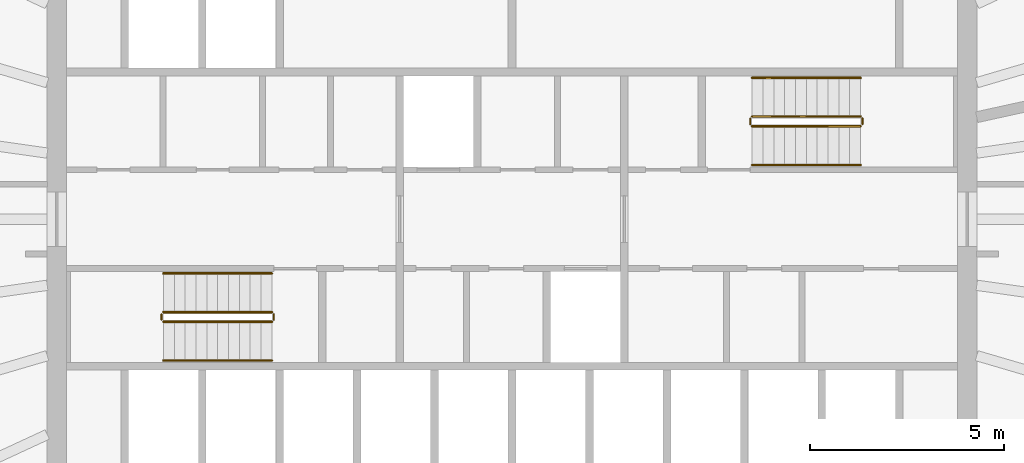
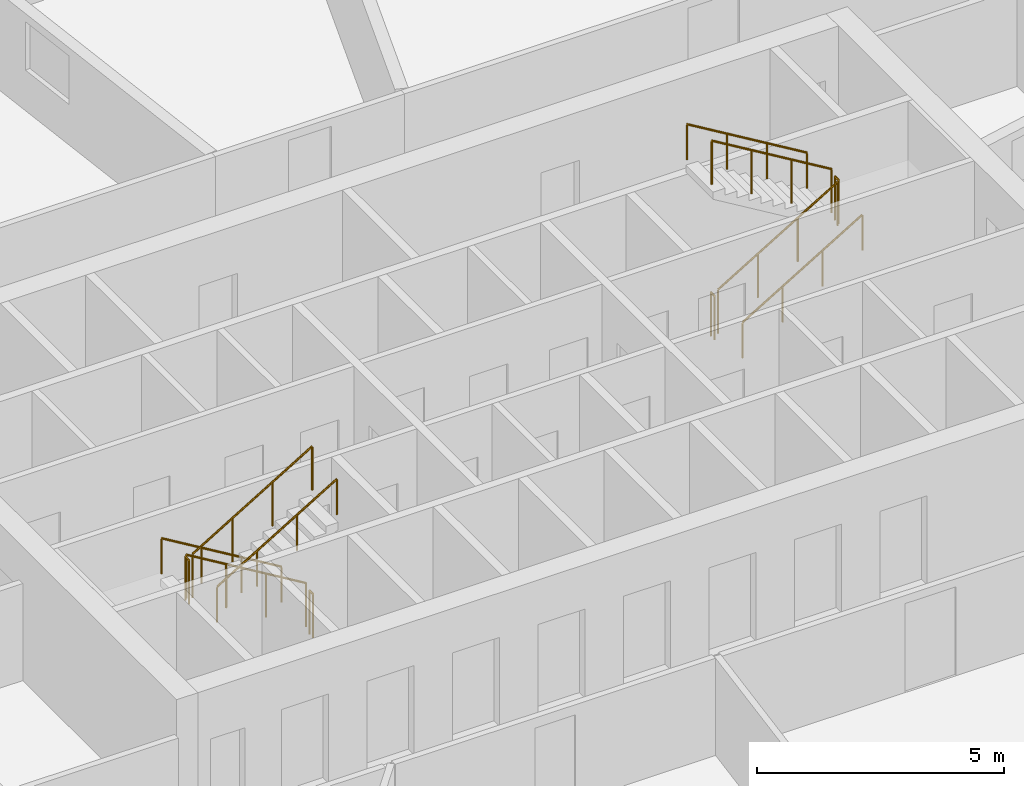
# One storey, part 12 of 12: 12 railings.
"""IFC4 building model written with IfcOpenShell, lengths in metres."""

from ifc_helpers import new_model, si_unit, direction, frame, origin, origin_2d, place, context, subcontext, project, spatial, circle, extrude, material, type_object, element, save


model = new_model("IFC4")

# Units and contexts
model_context = context("Model", 3, precision=1e-05, world=origin(), true_north=direction((0.0, 1.0)))
body_context = subcontext(model_context, "Body", "Model", "MODEL_VIEW")
ifc_project = project(units=[si_unit("LENGTHUNIT", "METRE"), si_unit("AREAUNIT", "SQUARE_METRE"), si_unit("VOLUMEUNIT", "CUBIC_METRE"), si_unit("PLANEANGLEUNIT", "RADIAN"), si_unit("MASSUNIT", "GRAM", prefix="KILO")], contexts=[model_context])

# Site, building, storey
site_placement = place(None, origin())
site = spatial("IfcSite", under=ifc_project, at=site_placement, CompositionType="ELEMENT")
building_placement = place(site_placement, origin())
building = spatial("IfcBuilding", under=site, at=building_placement, Name="Siaravel Broadcast Tower", CompositionType="ELEMENT")
storey_placement = place(building_placement, frame((0.0, 0.0, 100.800048828125)))
storey = spatial("IfcBuildingStorey", under=building, at=storey_placement, Name="L23", CompositionType="ELEMENT", Elevation=100.800048828125)

# Railings
ifc_material = material(Name="Stainless steel 316L", Category="steel")
railing_type_1 = type_object("IfcRailingType", Name="Stair guard 1100", PredefinedType="GUARDRAIL", material=ifc_material)
railing_1_placement = place(storey_placement, frame((-6.199951171875, -2.39990234375, 0.168212890625)))
element("IfcRailing", 1, at=railing_1_placement, inside=storey, type_object=railing_type_1, Name="L23 ST-1 stair guard 1", PredefinedType="GUARDRAIL", context=body_context, shape_type="SweptSolid", body=[
    extrude(circle(Radius=0.02392578125, at=origin_2d()), frame((0.0, 0.0, 1.076171875), z_axis=(-0.857275203, 0.0, 0.514858453), x_axis=(0.0, -1.0, 0.0)), (0.0, 0.0, 1.0), 3.26611328125),
    extrude(circle(Radius=0.02099609375, at=origin_2d()), origin(), (0.0, 0.0, 1.0), 1.052001953125),
    extrude(circle(Radius=0.02099609375, at=origin_2d()), frame((-0.933349609375, 0.0, 0.560546875)), (0.0, 0.0, 1.0), 1.052001953125),
    extrude(circle(Radius=0.02099609375, at=origin_2d()), frame((-1.86669921875, 0.0, 1.12109375)), (0.0, 0.0, 1.0), 1.052001953125),
    extrude(circle(Radius=0.02099609375, at=origin_2d()), frame((-2.800048828125, 0.0, 1.681640625)), (0.0, 0.0, 1.0), 1.052001953125),
])
railing_2_placement = place(storey_placement, frame((-9.050048828125, -2.449951171875, 1.849853515625)))
element("IfcRailing", 2, at=railing_2_placement, inside=storey, type_object=railing_type_1, Name="L23 ST-1 stair guard 2", PredefinedType="GUARDRAIL", context=body_context, shape_type="SweptSolid", body=[
    extrude(circle(Radius=0.02392578125, at=origin_2d()), frame((0.0, 0.0, 1.076171875), z_axis=(0.0, -1.0, 0.0), x_axis=(1.0, 0.0, 0.0)), (0.0, 0.0, 1.0), 0.150146484375),
    extrude(circle(Radius=0.02099609375, at=origin_2d()), origin(), (0.0, 0.0, 1.0), 1.052001953125),
    extrude(circle(Radius=0.02099609375, at=origin_2d()), frame((0.0, -0.150146484375, 0.0)), (0.0, 0.0, 1.0), 1.052001953125),
])
railing_3_placement = place(storey_placement, frame((-9.0, -2.64990234375, 2.01806640625)))
element("IfcRailing", 3, at=railing_3_placement, inside=storey, type_object=railing_type_1, Name="L23 ST-1 stair guard 3", PredefinedType="GUARDRAIL", context=body_context, shape_type="SweptSolid", body=[
    extrude(circle(Radius=0.02392578125, at=origin_2d()), frame((0.0, 0.0, 1.076171875), z_axis=(0.857242211, 0.0, 0.514913383), x_axis=(0.0, 1.0, 0.0)), (0.0, 0.0, 1.0), 3.266357421875),
    extrude(circle(Radius=0.02099609375, at=origin_2d()), origin(), (0.0, 0.0, 1.0), 1.052001953125),
    extrude(circle(Radius=0.02099609375, at=origin_2d()), frame((0.933349609375, 0.0, 0.560546875)), (0.0, 0.0, 1.0), 1.052001953125),
    extrude(circle(Radius=0.02099609375, at=origin_2d()), frame((1.86669921875, 0.0, 1.121337890625)), (0.0, 0.0, 1.0), 1.052001953125),
    extrude(circle(Radius=0.02099609375, at=origin_2d()), frame((2.800048828125, 0.0, 1.681884765625)), (0.0, 0.0, 1.0), 1.052001953125),
])
railing_4_placement = place(storey_placement, frame((-6.14990234375, -2.449951171875, 0.0)))
element("IfcRailing", 4, at=railing_4_placement, inside=storey, type_object=railing_type_1, Name="L23 ST-1 stair guard 4", PredefinedType="GUARDRAIL", context=body_context, shape_type="SweptSolid", body=[
    extrude(circle(Radius=0.02392578125, at=origin_2d()), frame((0.0, 0.0, 1.076171875), z_axis=(0.0, -1.0, 0.0), x_axis=(1.0, 0.0, 0.0)), (0.0, 0.0, 1.0), 0.150146484375),
    extrude(circle(Radius=0.02099609375, at=origin_2d()), origin(), (0.0, 0.0, 1.0), 1.052001953125),
    extrude(circle(Radius=0.02099609375, at=origin_2d()), frame((0.0, -0.150146484375, 0.0)), (0.0, 0.0, 1.0), 1.052001953125),
])
railing_5_placement = place(storey_placement, frame((6.199951171875, 2.39990234375, 0.168212890625)))
element("IfcRailing", 5, at=railing_5_placement, inside=storey, type_object=railing_type_1, Name="L23 ST-2 stair guard 1", PredefinedType="GUARDRAIL", context=body_context, shape_type="SweptSolid", body=[
    extrude(circle(Radius=0.02392578125, at=origin_2d()), frame((0.0, 0.0, 1.076171875), z_axis=(0.857275203, 0.0, 0.514858453), x_axis=(0.0, 1.0, 0.0)), (0.0, 0.0, 1.0), 3.26611328125),
    extrude(circle(Radius=0.02099609375, at=origin_2d()), origin(), (0.0, 0.0, 1.0), 1.052001953125),
    extrude(circle(Radius=0.02099609375, at=origin_2d()), frame((0.933349609375, 0.0, 0.560546875)), (0.0, 0.0, 1.0), 1.052001953125),
    extrude(circle(Radius=0.02099609375, at=origin_2d()), frame((1.86669921875, 0.0, 1.12109375)), (0.0, 0.0, 1.0), 1.052001953125),
    extrude(circle(Radius=0.02099609375, at=origin_2d()), frame((2.800048828125, 0.0, 1.681640625)), (0.0, 0.0, 1.0), 1.052001953125),
])
railing_6_placement = place(storey_placement, frame((9.050048828125, 2.449951171875, 1.849853515625)))
element("IfcRailing", 6, at=railing_6_placement, inside=storey, type_object=railing_type_1, Name="L23 ST-2 stair guard 2", PredefinedType="GUARDRAIL", context=body_context, shape_type="SweptSolid", body=[
    extrude(circle(Radius=0.02392578125, at=origin_2d()), frame((0.0, 0.0, 1.076171875), z_axis=(0.0, 1.0, 0.0), x_axis=(-1.0, 0.0, 0.0)), (0.0, 0.0, 1.0), 0.150146484375),
    extrude(circle(Radius=0.02099609375, at=origin_2d()), origin(), (0.0, 0.0, 1.0), 1.052001953125),
    extrude(circle(Radius=0.02099609375, at=origin_2d()), frame((0.0, 0.150146484375, 0.0)), (0.0, 0.0, 1.0), 1.052001953125),
])
railing_7_placement = place(storey_placement, frame((9.0, 2.64990234375, 2.01806640625)))
element("IfcRailing", 7, at=railing_7_placement, inside=storey, type_object=railing_type_1, Name="L23 ST-2 stair guard 3", PredefinedType="GUARDRAIL", context=body_context, shape_type="SweptSolid", body=[
    extrude(circle(Radius=0.02392578125, at=origin_2d()), frame((0.0, 0.0, 1.076171875), z_axis=(-0.857242211, 0.0, 0.514913383), x_axis=(0.0, -1.0, 0.0)), (0.0, 0.0, 1.0), 3.266357421875),
    extrude(circle(Radius=0.02099609375, at=origin_2d()), origin(), (0.0, 0.0, 1.0), 1.052001953125),
    extrude(circle(Radius=0.02099609375, at=origin_2d()), frame((-0.933349609375, 0.0, 0.560546875)), (0.0, 0.0, 1.0), 1.052001953125),
    extrude(circle(Radius=0.02099609375, at=origin_2d()), frame((-1.86669921875, 0.0, 1.121337890625)), (0.0, 0.0, 1.0), 1.052001953125),
    extrude(circle(Radius=0.02099609375, at=origin_2d()), frame((-2.800048828125, 0.0, 1.681884765625)), (0.0, 0.0, 1.0), 1.052001953125),
])
railing_8_placement = place(storey_placement, frame((6.14990234375, 2.449951171875, 0.0)))
element("IfcRailing", 8, at=railing_8_placement, inside=storey, type_object=railing_type_1, Name="L23 ST-2 stair guard 4", PredefinedType="GUARDRAIL", context=body_context, shape_type="SweptSolid", body=[
    extrude(circle(Radius=0.02392578125, at=origin_2d()), frame((0.0, 0.0, 1.076171875), z_axis=(0.0, 1.0, 0.0), x_axis=(-1.0, 0.0, 0.0)), (0.0, 0.0, 1.0), 0.150146484375),
    extrude(circle(Radius=0.02099609375, at=origin_2d()), origin(), (0.0, 0.0, 1.0), 1.052001953125),
    extrude(circle(Radius=0.02099609375, at=origin_2d()), frame((0.0, 0.150146484375, 0.0)), (0.0, 0.0, 1.0), 1.052001953125),
])
railing_type_2 = type_object("IfcRailingType", Name="Stair handrail 900", PredefinedType="HANDRAIL", material=ifc_material)
railing_9_placement = place(storey_placement, frame((-6.199951171875, -1.39990234375, 0.168212890625)))
element("IfcRailing", 9, at=railing_9_placement, inside=storey, type_object=railing_type_2, Name="L23 ST-1 stair handrail 1", PredefinedType="HANDRAIL", context=body_context, shape_type="SweptSolid", body=[
    extrude(circle(Radius=0.02392578125, at=origin_2d()), frame((0.0, 0.0, 0.8759765625), z_axis=(-0.857275203, 0.0, 0.514858453), x_axis=(0.0, -1.0, 0.0)), (0.0, 0.0, 1.0), 3.26611328125),
    extrude(circle(Radius=0.02099609375, at=origin_2d()), origin(), (0.0, 0.0, 1.0), 0.851806640625),
    extrude(circle(Radius=0.02099609375, at=origin_2d()), frame((-0.933349609375, 0.0, 0.560546875)), (0.0, 0.0, 1.0), 0.851806640625),
    extrude(circle(Radius=0.02099609375, at=origin_2d()), frame((-1.86669921875, 0.0, 1.12109375)), (0.0, 0.0, 1.0), 0.851806640625),
    extrude(circle(Radius=0.02099609375, at=origin_2d()), frame((-2.800048828125, 0.0, 1.681640625)), (0.0, 0.0, 1.0), 0.851806640625),
])
railing_10_placement = place(storey_placement, frame((-9.0, -3.64990234375, 2.01806640625)))
element("IfcRailing", 10, at=railing_10_placement, inside=storey, type_object=railing_type_2, Name="L23 ST-1 stair handrail 2", PredefinedType="HANDRAIL", context=body_context, shape_type="SweptSolid", body=[
    extrude(circle(Radius=0.02392578125, at=origin_2d()), frame((0.0, 0.0, 0.8759765625), z_axis=(0.857242211, 0.0, 0.514913383), x_axis=(0.0, 1.0, 0.0)), (0.0, 0.0, 1.0), 3.266357421875),
    extrude(circle(Radius=0.02099609375, at=origin_2d()), origin(), (0.0, 0.0, 1.0), 0.851806640625),
    extrude(circle(Radius=0.02099609375, at=origin_2d()), frame((0.933349609375, 0.0, 0.560546875)), (0.0, 0.0, 1.0), 0.851806640625),
    extrude(circle(Radius=0.02099609375, at=origin_2d()), frame((1.86669921875, 0.0, 1.121337890625)), (0.0, 0.0, 1.0), 0.851806640625),
    extrude(circle(Radius=0.02099609375, at=origin_2d()), frame((2.800048828125, 0.0, 1.681884765625)), (0.0, 0.0, 1.0), 0.851806640625),
])
railing_11_placement = place(storey_placement, frame((6.199951171875, 1.39990234375, 0.168212890625)))
element("IfcRailing", 11, at=railing_11_placement, inside=storey, type_object=railing_type_2, Name="L23 ST-2 stair handrail 1", PredefinedType="HANDRAIL", context=body_context, shape_type="SweptSolid", body=[
    extrude(circle(Radius=0.02392578125, at=origin_2d()), frame((0.0, 0.0, 0.8759765625), z_axis=(0.857275203, 0.0, 0.514858453), x_axis=(0.0, 1.0, 0.0)), (0.0, 0.0, 1.0), 3.26611328125),
    extrude(circle(Radius=0.02099609375, at=origin_2d()), origin(), (0.0, 0.0, 1.0), 0.851806640625),
    extrude(circle(Radius=0.02099609375, at=origin_2d()), frame((0.933349609375, 0.0, 0.560546875)), (0.0, 0.0, 1.0), 0.851806640625),
    extrude(circle(Radius=0.02099609375, at=origin_2d()), frame((1.86669921875, 0.0, 1.12109375)), (0.0, 0.0, 1.0), 0.851806640625),
    extrude(circle(Radius=0.02099609375, at=origin_2d()), frame((2.800048828125, 0.0, 1.681640625)), (0.0, 0.0, 1.0), 0.851806640625),
])
railing_12_placement = place(storey_placement, frame((9.0, 3.64990234375, 2.01806640625)))
element("IfcRailing", 12, at=railing_12_placement, inside=storey, type_object=railing_type_2, Name="L23 ST-2 stair handrail 2", PredefinedType="HANDRAIL", context=body_context, shape_type="SweptSolid", body=[
    extrude(circle(Radius=0.02392578125, at=origin_2d()), frame((0.0, 0.0, 0.8759765625), z_axis=(-0.857242211, 0.0, 0.514913383), x_axis=(0.0, -1.0, 0.0)), (0.0, 0.0, 1.0), 3.266357421875),
    extrude(circle(Radius=0.02099609375, at=origin_2d()), origin(), (0.0, 0.0, 1.0), 0.851806640625),
    extrude(circle(Radius=0.02099609375, at=origin_2d()), frame((-0.933349609375, 0.0, 0.560546875)), (0.0, 0.0, 1.0), 0.851806640625),
    extrude(circle(Radius=0.02099609375, at=origin_2d()), frame((-1.86669921875, 0.0, 1.121337890625)), (0.0, 0.0, 1.0), 0.851806640625),
    extrude(circle(Radius=0.02099609375, at=origin_2d()), frame((-2.800048828125, 0.0, 1.681884765625)), (0.0, 0.0, 1.0), 0.851806640625),
])

save(model, "model.ifc")
